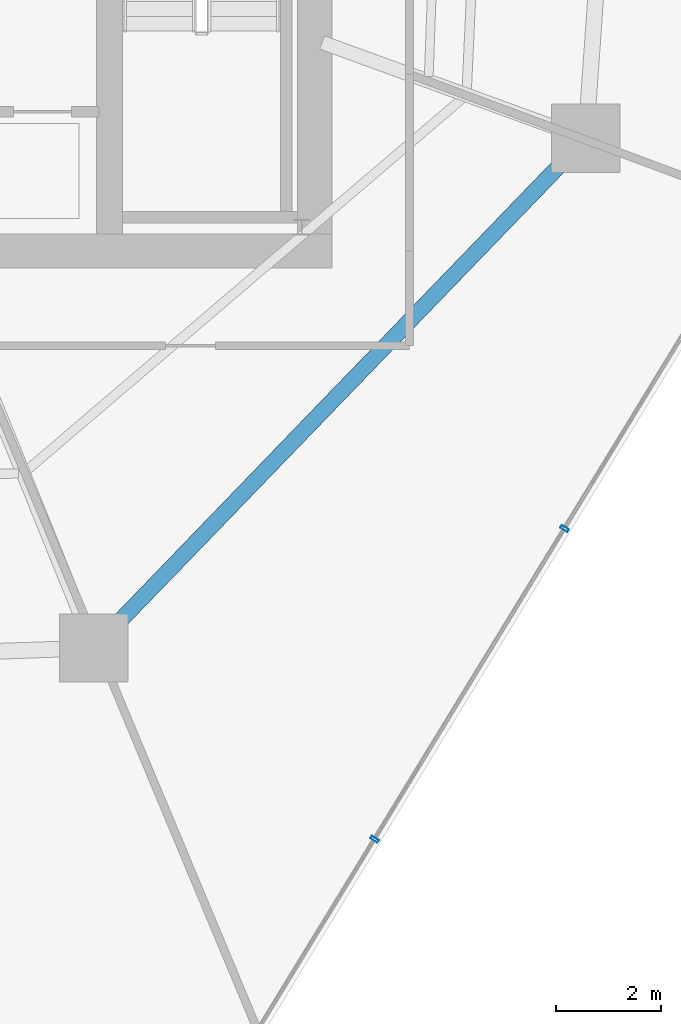
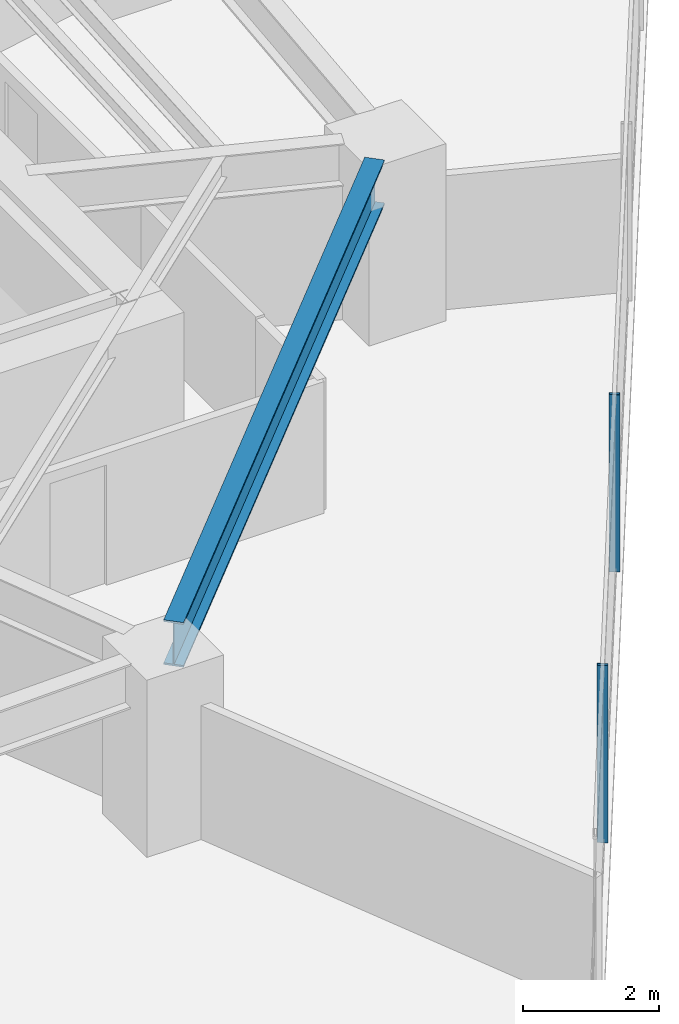
# One storey, part 11 of 30: 2 members, 1 beam, 1 element without a shape of its own.
"""IFC4 building model written with IfcOpenShell, lengths in metres."""

from ifc_helpers import new_model, si_unit, direction, frame, origin, origin_2d, place, context, subcontext, project, spatial, hollow_rectangle, i_section, extrude, material, layer, layer_set, material_profile, profile_set, type_object, element, aggregate, save


model = new_model("IFC4")

# Units and contexts
model_context = context("Model", 3, precision=1e-05, world=origin(), true_north=direction((0.0, 1.0)))
body_context = subcontext(model_context, "Body", "Model", "MODEL_VIEW")
ifc_project = project(units=[si_unit("LENGTHUNIT", "METRE"), si_unit("AREAUNIT", "SQUARE_METRE"), si_unit("VOLUMEUNIT", "CUBIC_METRE"), si_unit("PLANEANGLEUNIT", "RADIAN"), si_unit("MASSUNIT", "GRAM", prefix="KILO")], contexts=[model_context])

# Site, building, storey
site_placement = place(None, origin())
site = spatial("IfcSite", under=ifc_project, at=site_placement, CompositionType="ELEMENT")
building_placement = place(site_placement, origin())
building = spatial("IfcBuilding", under=site, at=building_placement, Name="Qarnah Convention Tower", CompositionType="ELEMENT")
storey_placement = place(building_placement, frame((0.0, 0.0, 61.5)))
storey = spatial("IfcBuildingStorey", under=building, at=storey_placement, Name="L15", CompositionType="ELEMENT", Elevation=61.5)

# Beam
ifc_material_1 = material(Name="Structural steel S355JR", Category="steel")
ifc_material_profile_1 = material_profile(ifc_material_1, i_section(OverallWidth=0.300048828125, OverallDepth=0.800048828125, WebThickness=0.01806640625, FlangeThickness=0.032958984375, at=origin_2d()), Name="HEB800")
ifc_profile_set_1 = profile_set([ifc_material_profile_1], Name="Structural steel S355JR")
beam_type = type_object("IfcBeamType", Name="BM-RING-HEB800", PredefinedType="BEAM", material=ifc_profile_set_1)
beam_placement = place(storey_placement, frame((43.844970703125, 11.514892578125, 2.77001953125), z_axis=(0.694553028655, 0.719441512832, 0.0), x_axis=(-0.719441512832, 0.694553028655, 0.0)))
element("IfcBeam", 1, at=beam_placement, inside=storey, type_object=beam_type, Name="L15 beam BM-L15-SPN-08", PredefinedType="BEAM", context=body_context, shape_type="SweptSolid", body=[
    extrude(i_section(OverallWidth=0.300048828125, OverallDepth=0.800048828125, WebThickness=0.01806640625, FlangeThickness=0.032958984375, at=origin_2d()), origin(), (0.0, 0.0, 1.0), 12.183349609375),
])

# Curtain wall, members
ifc_material_2 = material(Name="Tempered Low-E dark glass", Category="glass")
ifc_layer = layer(ifc_material_2, 0.16796875)
ifc_layer_set = layer_set([ifc_layer], Name="Tempered Low-E dark glass")
curtain_wall_type = type_object("IfcCurtainWallType", Name="CWS-01", PredefinedType="NOTDEFINED", material=ifc_layer_set)
curtain_wall_placement = place(storey_placement, origin())
curtain_wall = element("IfcCurtainWall", 2, at=curtain_wall_placement, inside=storey, type_object=curtain_wall_type, Name="L15 unitised curtain wall CW-L15-F2", PredefinedType="NOTDEFINED")
ifc_material_3 = material(Name="Black anodised aluminium", Category="aluminium")
ifc_material_profile_2 = material_profile(ifc_material_3, hollow_rectangle(XDim=0.06005859375, YDim=0.159912109375, WallThickness=0.00390625, at=origin_2d()), Name="MUL-60X160")
ifc_profile_set_2 = profile_set([ifc_material_profile_2], Name="Black anodised aluminium")
member_type = type_object("IfcMemberType", Name="MUL-T1", PredefinedType="MULLION", material=ifc_profile_set_2)
member_1_placement = place(storey_placement, frame((52.34912109375, 13.323486328125, 0.0), z_axis=(0.0, 0.0, 1.0), x_axis=(-0.52160777824, -0.853185399359, 0.0)))
member_1 = element("IfcMember", 3, at=member_1_placement, type_object=member_type, Name="CW-L15-F2 mullion 4", PredefinedType="MULLION", context=body_context, shape_type="SweptSolid", body=[
    extrude(hollow_rectangle(XDim=0.06005859375, YDim=0.159912109375, WallThickness=0.00390625, at=origin_2d()), origin(), (0.0, 0.0, 1.0), 3.169921875),
])
member_2_placement = place(storey_placement, frame((48.738525390625, 7.417724609375, 0.0), z_axis=(0.0, 0.0, 1.0), x_axis=(-0.52160777824, -0.853185399359, 0.0)))
member_2 = element("IfcMember", 4, at=member_2_placement, type_object=member_type, Name="CW-L15-F2 mullion 5", PredefinedType="MULLION", context=body_context, shape_type="SweptSolid", body=[
    extrude(hollow_rectangle(XDim=0.06005859375, YDim=0.159912109375, WallThickness=0.00390625, at=origin_2d()), origin(), (0.0, 0.0, 1.0), 3.169921875),
])
aggregate(curtain_wall, [member_1, member_2])

save(model, "model.ifc")
